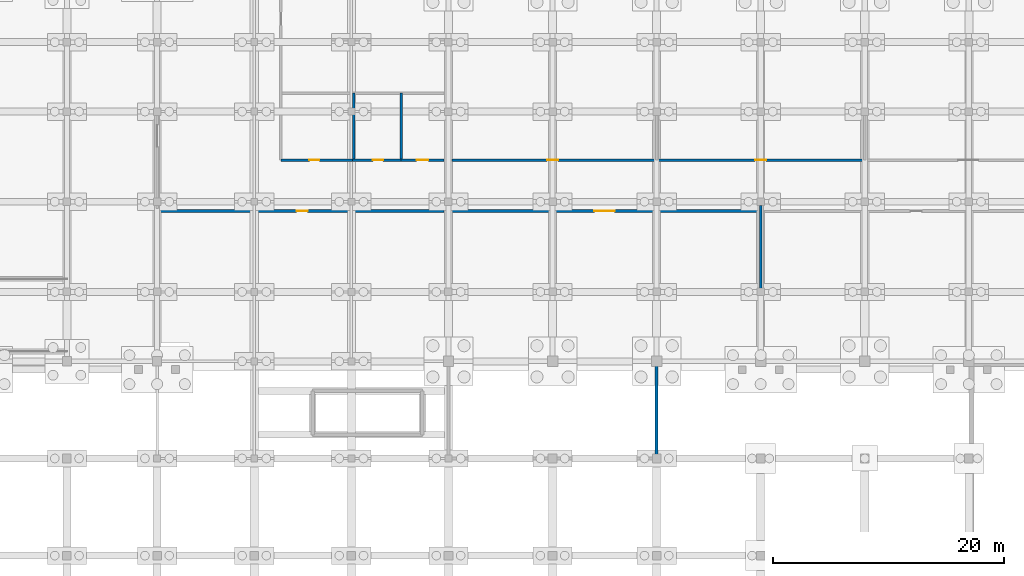
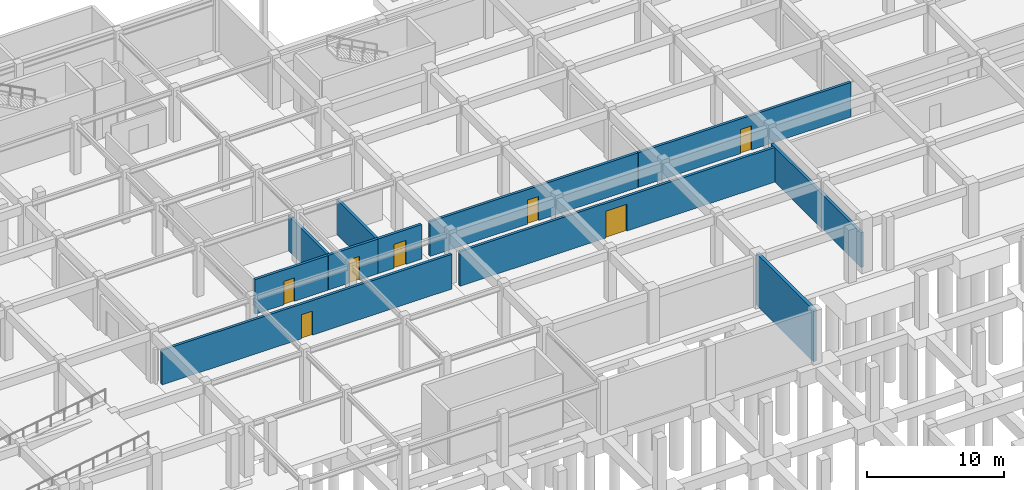
# One storey, part 16 of 26: 11 walls, 7 doors, 7 openings.
"""IFC4 building model written with IfcOpenShell, lengths in metres."""

from ifc_helpers import new_model, si_unit, direction, frame, frame_2d, origin, place, context, subcontext, project, spatial, rectangle, extrude, material, layer, layer_set, type_object, element, fill, save


model = new_model("IFC4")

# Units and contexts
model_context = context("Model", 3, precision=1e-05, world=origin(), true_north=direction((0.0, 1.0)))
body_context = subcontext(model_context, "Body", "Model", "MODEL_VIEW")
ifc_project = project(units=[si_unit("LENGTHUNIT", "METRE"), si_unit("AREAUNIT", "SQUARE_METRE"), si_unit("VOLUMEUNIT", "CUBIC_METRE"), si_unit("PLANEANGLEUNIT", "RADIAN"), si_unit("MASSUNIT", "GRAM", prefix="KILO")], contexts=[model_context])

# Site, building, storey
site_placement = place(None, origin())
site = spatial("IfcSite", under=ifc_project, at=site_placement, CompositionType="ELEMENT")
building_placement = place(site_placement, origin())
building = spatial("IfcBuilding", under=site, at=building_placement, Name="Tizgana Railside Sports Hall", CompositionType="ELEMENT")
storey_placement = place(building_placement, frame((0.0, 0.0, -4.800048828125)))
storey = spatial("IfcBuildingStorey", under=building, at=storey_placement, Name="B1", CompositionType="ELEMENT", Elevation=-4.800048828125)

# Wall, opening, door
ifc_material_1 = material(Name="Masonry blockwork", Category="masonry")
ifc_layer_1 = layer(ifc_material_1, 0.219970703125, Name="Masonry blockwork")
ifc_layer_set_1 = layer_set([ifc_layer_1], Name="Masonry blockwork")
wall_type_1 = type_object("IfcWallType", Name="Equipment Store Fire Wall 220", PredefinedType="STANDARD", material=ifc_layer_set_1)
wall_1_placement = place(storey_placement, frame((54.89990234375, 53.800048828125, 0.0), z_axis=(0.0, 0.0, 1.0), x_axis=(1.0, 0.0, 0.0)))
wall_1 = element("IfcWall", 1, at=wall_1_placement, inside=storey, type_object=wall_type_1, Name="B1 Partition PWAL-0228", PredefinedType="STANDARD", context=body_context, shape_type="SweptSolid", body=[
    extrude(rectangle(XDim=24.5, YDim=0.219970703125, at=frame_2d((12.25, 0.0))), origin(), (0.0, 0.0, 1.0), 3.10009765625),
])
opening_1_placement = place(wall_1_placement, frame((11.77490234375, 0.0, 0.0)))
opening_1 = element("IfcOpeningElement", 2, at=opening_1_placement, cuts=wall_1, Name="Opening D-0228", PredefinedType="OPENING", context=body_context, shape_type="SweptSolid", body=[
    extrude(rectangle(XDim=0.949951171875, YDim=2.14990234375, at=frame_2d((0.47509765625, 1.074951171875))), frame((0.0, 0.119873046875, 0.0), z_axis=(0.0, -1.0, 0.0), x_axis=(1.0, 0.0, 0.0)), (0.0, 0.0, 1.0), 0.239990234375),
])
ifc_material_2 = material(Name="Galvanised steel sheet", Category="steel")
door_type_1 = type_object("IfcDoorType", Name="Plant & Riser Fire Door 950x2150", OperationType="NOTDEFINED", PredefinedType="DOOR", material=ifc_material_2)
door_1_placement = place(opening_1_placement, origin())
door_1 = element("IfcDoor", 3, at=door_1_placement, inside=storey, type_object=door_type_1, Name="B1 Door D-0228", OperationType="SINGLE_SWING_LEFT", OverallHeight=2.14990234375, OverallWidth=0.949951171875, PredefinedType="DOOR", context=body_context, shape_type="SweptSolid", body=[
    extrude(rectangle(XDim=0.949951171875, YDim=2.14990234375, at=frame_2d((0.47509765625, 1.074951171875))), frame((0.0, 0.02490234375, 0.0), z_axis=(0.0, -1.0, 0.0), x_axis=(1.0, 0.0, 0.0)), (0.0, 0.0, 1.0), 0.050048828125),
])
fill(opening_1, door_1)

wall_2_placement = place(storey_placement, frame((65.300048828125, 58.199951171875, 0.0), z_axis=(0.0, 0.0, 1.0), x_axis=(1.0, 0.0, 0.0)))
wall_2 = element("IfcWall", 4, at=wall_2_placement, inside=storey, type_object=wall_type_1, Name="B1 Partition PWAL-0229", PredefinedType="STANDARD", context=body_context, shape_type="SweptSolid", body=[
    extrude(rectangle(XDim=6.18505859375, YDim=0.219970703125, at=frame_2d((3.092529296875, 0.0))), origin(), (0.0, 0.0, 1.0), 3.10009765625),
])
opening_2_placement = place(wall_2_placement, frame((2.4599609375, 0.0, 0.0)))
opening_2 = element("IfcOpeningElement", 5, at=opening_2_placement, cuts=wall_2, Name="Opening D-0229", PredefinedType="OPENING", context=body_context, shape_type="SweptSolid", body=[
    extrude(rectangle(XDim=0.8798828125, YDim=2.10009765625, at=frame_2d((0.43994140625, 1.050048828125))), frame((0.0, 0.119873046875, 0.0), z_axis=(0.0, -1.0, 0.0), x_axis=(1.0, 0.0, 0.0)), (0.0, 0.0, 1.0), 0.239990234375),
])
ifc_material_3 = material(Name="Solid beech timber", Category="wood")
door_type_2 = type_object("IfcDoorType", Name="Public & Staff WC Door 880x2100", OperationType="NOTDEFINED", PredefinedType="DOOR", material=ifc_material_3)
door_2_placement = place(opening_2_placement, origin())
door_2 = element("IfcDoor", 6, at=door_2_placement, inside=storey, type_object=door_type_2, Name="B1 Door D-0229", OperationType="SINGLE_SWING_RIGHT", OverallHeight=2.10009765625, OverallWidth=0.8798828125, PredefinedType="DOOR", context=body_context, shape_type="SweptSolid", body=[
    extrude(rectangle(XDim=0.8798828125, YDim=2.10009765625, at=frame_2d((0.43994140625, 1.050048828125))), frame((0.0, 0.02490234375, 0.0), z_axis=(0.0, -1.0, 0.0), x_axis=(1.0, 0.0, 0.0)), (0.0, 0.0, 1.0), 0.050048828125),
])
fill(opening_2, door_2)

wall_3_placement = place(storey_placement, frame((71.489990234375, 58.199951171875, 0.0), z_axis=(0.0, 0.0, 1.0), x_axis=(1.0, 0.0, 0.0)))
wall_3 = element("IfcWall", 7, at=wall_3_placement, inside=storey, type_object=wall_type_1, Name="B1 Partition PWAL-0230", PredefinedType="STANDARD", context=body_context, shape_type="SweptSolid", body=[
    extrude(rectangle(XDim=4.205078125, YDim=0.219970703125, at=frame_2d((2.1025390625, 0.0))), origin(), (0.0, 0.0, 1.0), 3.10009765625),
])
opening_3_placement = place(wall_3_placement, frame((1.77001953125, 0.0, 0.0)))
opening_3 = element("IfcOpeningElement", 8, at=opening_3_placement, cuts=wall_3, Name="Opening D-0230", PredefinedType="OPENING", context=body_context, shape_type="SweptSolid", body=[
    extrude(rectangle(XDim=0.8798828125, YDim=2.10009765625, at=frame_2d((0.43994140625, 1.050048828125))), frame((0.0, 0.119873046875, 0.0), z_axis=(0.0, -1.0, 0.0), x_axis=(1.0, 0.0, 0.0)), (0.0, 0.0, 1.0), 0.239990234375),
])
door_3_placement = place(opening_3_placement, origin())
door_3 = element("IfcDoor", 9, at=door_3_placement, inside=storey, type_object=door_type_2, Name="B1 Door D-0230", OperationType="SINGLE_SWING_LEFT", OverallHeight=2.10009765625, OverallWidth=0.8798828125, PredefinedType="DOOR", context=body_context, shape_type="SweptSolid", body=[
    extrude(rectangle(XDim=0.8798828125, YDim=2.10009765625, at=frame_2d((0.43994140625, 1.050048828125))), frame((0.0, 0.02490234375, 0.0), z_axis=(0.0, -1.0, 0.0), x_axis=(1.0, 0.0, 0.0)), (0.0, 0.0, 1.0), 0.050048828125),
])
fill(opening_3, door_3)

wall_4_placement = place(storey_placement, frame((75.699951171875, 58.199951171875, 0.0), z_axis=(0.0, 0.0, 1.0), x_axis=(1.0, 0.0, 0.0)))
wall_4 = element("IfcWall", 10, at=wall_4_placement, inside=storey, type_object=wall_type_1, Name="B1 Partition PWAL-0231", PredefinedType="STANDARD", context=body_context, shape_type="SweptSolid", body=[
    extrude(rectangle(XDim=3.699951171875, YDim=0.219970703125, at=frame_2d((1.85009765625, 0.0))), origin(), (0.0, 0.0, 1.0), 3.10009765625),
])
opening_4_placement = place(wall_4_placement, frame((1.340087890625, 0.0, 0.0)))
opening_4 = element("IfcOpeningElement", 11, at=opening_4_placement, cuts=wall_4, Name="Opening D-0231", PredefinedType="OPENING", context=body_context, shape_type="SweptSolid", body=[
    extrude(rectangle(XDim=1.02001953125, YDim=2.14990234375, at=frame_2d((0.510009765625, 1.074951171875))), frame((0.0, 0.119873046875, 0.0), z_axis=(0.0, -1.0, 0.0), x_axis=(1.0, 0.0, 0.0)), (0.0, 0.0, 1.0), 0.239990234375),
])
door_type_3 = type_object("IfcDoorType", Name="Accessible Changing & WC Door 1020x2150", OperationType="NOTDEFINED", PredefinedType="DOOR", material=ifc_material_3)
door_4_placement = place(opening_4_placement, origin())
door_4 = element("IfcDoor", 12, at=door_4_placement, inside=storey, type_object=door_type_3, Name="B1 Door D-0231", OperationType="SINGLE_SWING_RIGHT", OverallHeight=2.14990234375, OverallWidth=1.02001953125, PredefinedType="DOOR", context=body_context, shape_type="SweptSolid", body=[
    extrude(rectangle(XDim=1.02001953125, YDim=2.14990234375, at=frame_2d((0.510009765625, 1.074951171875))), frame((0.0, 0.02490234375, 0.0), z_axis=(0.0, -1.0, 0.0), x_axis=(1.0, 0.0, 0.0)), (0.0, 0.0, 1.0), 0.050048828125),
])
fill(opening_4, door_4)

# Walls
for number, where, z_axis, x_axis, name in (
    (13, (71.60009765625, 58.199951171875, 0.0), (0.0, 0.0, 1.0), (0.0, 1.0, 0.0), "B1 Partition PWAL-0234"),
    (14, (75.699951171875, 58.199951171875, 0.0), (0.0, 0.0, 1.0), (0.0, 1.0, 0.0), "B1 Partition PWAL-0235"),
):
    element("IfcWall", number, at=place(storey_placement, frame(where, z_axis=z_axis, x_axis=x_axis)), inside=storey, type_object=wall_type_1, Name=name, PredefinedType="STANDARD", context=body_context, shape_type="SweptSolid", body=[
        extrude(rectangle(XDim=5.800048828125, YDim=0.219970703125, at=frame_2d((2.89990234375, 0.0))), origin(), (0.0, 0.0, 1.0), 3.10009765625),
    ])

# Wall, opening, door
wall_5_placement = place(storey_placement, frame((80.10009765625, 53.800048828125, 0.0), z_axis=(0.0, 0.0, 1.0), x_axis=(1.0, 0.0, 0.0)))
wall_5 = element("IfcWall", 15, at=wall_5_placement, inside=storey, type_object=wall_type_1, Name="B1 Partition PWAL-0237", PredefinedType="STANDARD", context=body_context, shape_type="SweptSolid", body=[
    extrude(rectangle(XDim=26.5849609375, YDim=0.219970703125, at=frame_2d((13.29248046875, 0.0))), origin(), (0.0, 0.0, 1.0), 3.10009765625),
])
opening_5_placement = place(wall_5_placement, frame((12.324951171875, 0.0, 0.0)))
opening_5 = element("IfcOpeningElement", 16, at=opening_5_placement, cuts=wall_5, Name="Opening D-0233", PredefinedType="OPENING", context=body_context, shape_type="SweptSolid", body=[
    extrude(rectangle(XDim=1.75, YDim=2.39990234375, at=frame_2d((0.875, 1.199951171875))), frame((0.0, 0.119873046875, 0.0), z_axis=(0.0, -1.0, 0.0), x_axis=(1.0, 0.0, 0.0)), (0.0, 0.0, 1.0), 0.239990234375),
])
door_type_4 = type_object("IfcDoorType", Name="Equipment Store Double Fire Door 1750x2400", OperationType="NOTDEFINED", PredefinedType="DOOR", material=ifc_material_2)
door_5_placement = place(opening_5_placement, origin())
door_5 = element("IfcDoor", 17, at=door_5_placement, inside=storey, type_object=door_type_4, Name="B1 Door D-0233", OperationType="DOUBLE_DOOR_SINGLE_SWING", OverallHeight=2.39990234375, OverallWidth=1.75, PredefinedType="DOOR", context=body_context, shape_type="SweptSolid", body=[
    extrude(rectangle(XDim=1.75, YDim=2.39990234375, at=frame_2d((0.875, 1.199951171875))), frame((0.0, 0.02490234375, 0.0), z_axis=(0.0, -1.0, 0.0), x_axis=(1.0, 0.0, 0.0)), (0.0, 0.0, 1.0), 0.050048828125),
])
fill(opening_5, door_5)

wall_6_placement = place(storey_placement, frame((80.10009765625, 58.199951171875, 0.0), z_axis=(0.0, 0.0, 1.0), x_axis=(1.0, 0.0, 0.0)))
wall_6 = element("IfcWall", 18, at=wall_6_placement, inside=storey, type_object=wall_type_1, Name="B1 Partition PWAL-0239", PredefinedType="STANDARD", context=body_context, shape_type="SweptSolid", body=[
    extrude(rectangle(XDim=17.5849609375, YDim=0.219970703125, at=frame_2d((8.79248046875, 0.0))), origin(), (0.0, 0.0, 1.0), 3.10009765625),
])
opening_6_placement = place(wall_6_placement, frame((8.22509765625, 0.0, 0.0)))
opening_6 = element("IfcOpeningElement", 19, at=opening_6_placement, cuts=wall_6, Name="Opening D-0235", PredefinedType="OPENING", context=body_context, shape_type="SweptSolid", body=[
    extrude(rectangle(XDim=0.949951171875, YDim=2.14990234375, at=frame_2d((0.47509765625, 1.074951171875))), frame((0.0, 0.119873046875, 0.0), z_axis=(0.0, -1.0, 0.0), x_axis=(1.0, 0.0, 0.0)), (0.0, 0.0, 1.0), 0.239990234375),
])
door_6_placement = place(opening_6_placement, origin())
door_6 = element("IfcDoor", 20, at=door_6_placement, inside=storey, type_object=door_type_1, Name="B1 Door D-0235", OperationType="SINGLE_SWING_LEFT", OverallHeight=2.14990234375, OverallWidth=0.949951171875, PredefinedType="DOOR", context=body_context, shape_type="SweptSolid", body=[
    extrude(rectangle(XDim=0.949951171875, YDim=2.14990234375, at=frame_2d((0.47509765625, 1.074951171875))), frame((0.0, 0.02490234375, 0.0), z_axis=(0.0, -1.0, 0.0), x_axis=(1.0, 0.0, 0.0)), (0.0, 0.0, 1.0), 0.050048828125),
])
fill(opening_6, door_6)

wall_7_placement = place(storey_placement, frame((97.68994140625, 58.199951171875, 0.0), z_axis=(0.0, 0.0, 1.0), x_axis=(1.0, 0.0, 0.0)))
wall_7 = element("IfcWall", 21, at=wall_7_placement, inside=storey, type_object=wall_type_1, Name="B1 Partition PWAL-0240", PredefinedType="STANDARD", context=body_context, shape_type="SweptSolid", body=[
    extrude(rectangle(XDim=17.9951171875, YDim=0.219970703125, at=frame_2d((8.99755859375, 0.0))), origin(), (0.0, 0.0, 1.0), 3.10009765625),
])
opening_7_placement = place(wall_7_placement, frame((8.635009765625, 0.0, 0.0)))
opening_7 = element("IfcOpeningElement", 22, at=opening_7_placement, cuts=wall_7, Name="Opening D-0236", PredefinedType="OPENING", context=body_context, shape_type="SweptSolid", body=[
    extrude(rectangle(XDim=0.949951171875, YDim=2.14990234375, at=frame_2d((0.47509765625, 1.074951171875))), frame((0.0, 0.119873046875, 0.0), z_axis=(0.0, -1.0, 0.0), x_axis=(1.0, 0.0, 0.0)), (0.0, 0.0, 1.0), 0.239990234375),
])
door_7_placement = place(opening_7_placement, origin())
door_7 = element("IfcDoor", 23, at=door_7_placement, inside=storey, type_object=door_type_1, Name="B1 Door D-0236", OperationType="SINGLE_SWING_RIGHT", OverallHeight=2.14990234375, OverallWidth=0.949951171875, PredefinedType="DOOR", context=body_context, shape_type="SweptSolid", body=[
    extrude(rectangle(XDim=0.949951171875, YDim=2.14990234375, at=frame_2d((0.47509765625, 1.074951171875))), frame((0.0, 0.02490234375, 0.0), z_axis=(0.0, -1.0, 0.0), x_axis=(1.0, 0.0, 0.0)), (0.0, 0.0, 1.0), 0.050048828125),
])
fill(opening_7, door_7)

# Walls
wall_8_placement = place(storey_placement, frame((106.800048828125, 41.10009765625, 0.0), z_axis=(0.0, 0.0, 1.0), x_axis=(0.0, 1.0, 0.0)))
element("IfcWall", 24, at=wall_8_placement, inside=storey, type_object=wall_type_1, Name="B1 Partition PWAL-0242", PredefinedType="STANDARD", context=body_context, shape_type="SweptSolid", body=[
    extrude(rectangle(XDim=13.164794921875, YDim=0.219970703125, at=frame_2d((6.58251953125, 0.0))), origin(), (0.0, 0.0, 1.0), 3.10009765625),
])
ifc_material_4 = material(Name="Precast concrete C40/50", Category="concrete")
ifc_layer_2 = layer(ifc_material_4, 0.27001953125, Name="Precast concrete C40/50")
ifc_layer_set_2 = layer_set([ifc_layer_2], Name="Precast concrete C40/50")
wall_type_2 = type_object("IfcWallType", Name="Exterior Studio Facade Wall 270", PredefinedType="STANDARD", material=ifc_layer_set_2)
wall_9_placement = place(storey_placement, frame((97.800048828125, 32.39990234375, 0.0), z_axis=(0.0, 0.0, 1.0), x_axis=(0.0, 1.0, 0.0)))
element("IfcWall", 25, at=wall_9_placement, inside=storey, type_object=wall_type_2, Name="B1 Apron Plinth", PredefinedType="STANDARD", context=body_context, shape_type="SweptSolid", body=[
    extrude(rectangle(XDim=8.400146484375, YDim=0.27001953125, at=frame_2d((4.2001953125, 0.0))), origin(), (0.0, 0.0, 1.0), 4.630126953125),
])

save(model, "model.ifc")
